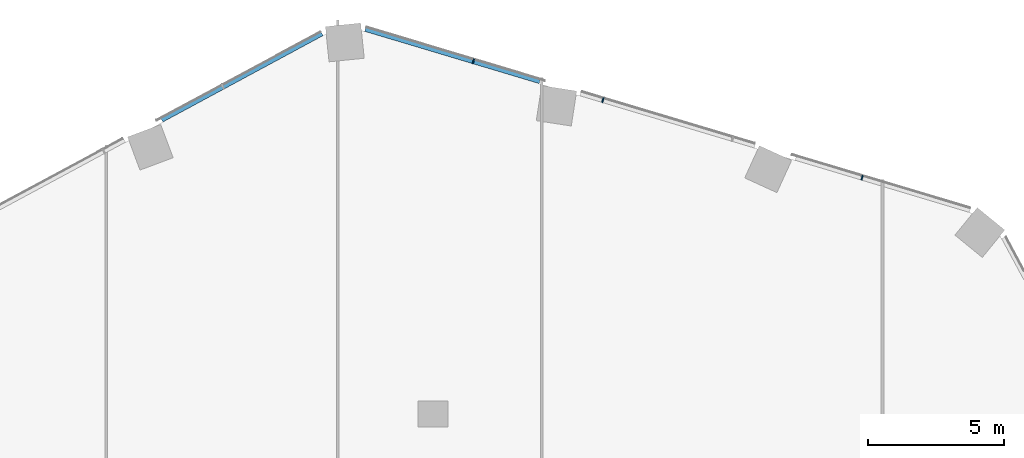
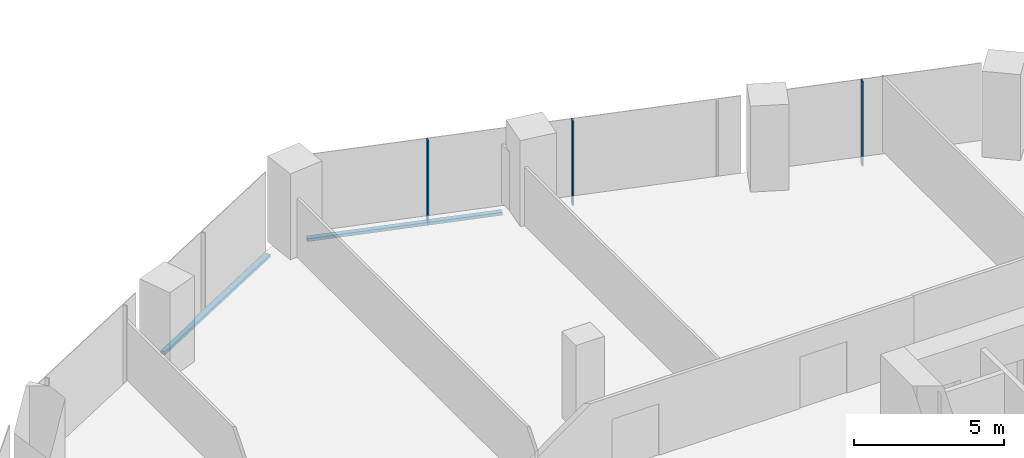
# One storey, part 12 of 34: 5 members, 2 elements without a shape of their own.
"""IFC4 building model written with IfcOpenShell, lengths in metres."""

from ifc_helpers import new_model, si_unit, direction, frame, origin, origin_2d, place, context, subcontext, project, spatial, rectangle, extrude, material, material_profile, profile_set, type_object, element, aggregate, save


model = new_model("IFC4")

# Units and contexts
model_context = context("Model", 3, precision=1e-05, world=origin(), true_north=direction((0.0, 1.0)))
body_context = subcontext(model_context, "Body", "Model", "MODEL_VIEW")
ifc_project = project(units=[si_unit("LENGTHUNIT", "METRE"), si_unit("AREAUNIT", "SQUARE_METRE"), si_unit("VOLUMEUNIT", "CUBIC_METRE"), si_unit("PLANEANGLEUNIT", "RADIAN"), si_unit("MASSUNIT", "GRAM", prefix="KILO")], contexts=[model_context])

# Site, building, storey
site_placement = place(None, origin())
site = spatial("IfcSite", under=ifc_project, at=site_placement, CompositionType="ELEMENT")
building_placement = place(site_placement, origin())
building = spatial("IfcBuilding", under=site, at=building_placement, Name="Orlundy Tower", CompositionType="ELEMENT")
storey_placement = place(building_placement, frame((0.0, 0.0, 134.199951171875)))
storey = spatial("IfcBuildingStorey", under=building, at=storey_placement, Name="L34", CompositionType="ELEMENT", Elevation=134.199951171875)

# Curtain wall, members
ifc_material_1 = material(Name="Aluminium bronze anodised", Category="aluminium")
curtain_wall_type = type_object("IfcCurtainWallType", Name="CW1 wall", PredefinedType="NOTDEFINED", material=ifc_material_1)
curtain_wall_1_placement = place(storey_placement, origin())
curtain_wall_1 = element("IfcCurtainWall", 1, at=curtain_wall_1_placement, inside=storey, type_object=curtain_wall_type, Name="CW1 run 04", PredefinedType="NOTDEFINED")
ifc_material_2 = material(Name="Aluminium bronze anodised", Category="aluminium")
ifc_material_profile_1 = material_profile(ifc_material_2, rectangle(XDim=0.179931640625, YDim=0.050048828125, at=origin_2d()), Name="CW1 mullion 50x180")
ifc_profile_set_1 = profile_set([ifc_material_profile_1], Name="Aluminium bronze anodised")
member_type_1 = type_object("IfcMemberType", Name="CW1 mullion 50x180", PredefinedType="MULLION", material=ifc_profile_set_1)
member_1_placement = place(storey_placement, frame((1.4873046875, 30.964599609375, -0.39990234375), z_axis=(0.0, 0.0, 1.0), x_axis=(0.286816257107, 0.957985612971, 0.0)))
member_1 = element("IfcMember", 2, at=member_1_placement, type_object=member_type_1, Name="CW1 mullion 20", PredefinedType="MULLION", context=body_context, shape_type="SweptSolid", body=[
    extrude(rectangle(XDim=0.179931640625, YDim=0.050048828125, at=origin_2d()), origin(), (0.0, 0.0, 1.0), 3.449951171875),
])
member_2_placement = place(storey_placement, frame((6.2490234375, 29.5390625, -0.39990234375), z_axis=(0.0, 0.0, 1.0), x_axis=(0.286816257107, 0.957985612971, 0.0)))
member_2 = element("IfcMember", 3, at=member_2_placement, type_object=member_type_1, Name="CW1 mullion 21", PredefinedType="MULLION", context=body_context, shape_type="SweptSolid", body=[
    extrude(rectangle(XDim=0.179931640625, YDim=0.050048828125, at=origin_2d()), origin(), (0.0, 0.0, 1.0), 3.449951171875),
])
member_3_placement = place(storey_placement, frame((15.772216796875, 26.687744140625, -0.39990234375), z_axis=(0.0, 0.0, 1.0), x_axis=(0.286816257107, 0.957985612971, 0.0)))
member_3 = element("IfcMember", 4, at=member_3_placement, type_object=member_type_1, Name="CW1 mullion 23", PredefinedType="MULLION", context=body_context, shape_type="SweptSolid", body=[
    extrude(rectangle(XDim=0.179931640625, YDim=0.050048828125, at=origin_2d()), origin(), (0.0, 0.0, 1.0), 3.449951171875),
])

# Curtain wall, member
curtain_wall_2_placement = place(storey_placement, origin())
curtain_wall_2 = element("IfcCurtainWall", 5, at=curtain_wall_2_placement, inside=storey, type_object=curtain_wall_type, Name="CW1 run 03", PredefinedType="NOTDEFINED")
ifc_material_3 = material(Name="Aluminium bronze anodised", Category="aluminium")
ifc_material_profile_2 = material_profile(ifc_material_3, rectangle(XDim=0.179931640625, YDim=0.1201171875, at=origin_2d()), Name="CW1 transom 180x120")
ifc_profile_set_2 = profile_set([ifc_material_profile_2], Name="Aluminium bronze anodised")
member_type_2 = type_object("IfcMemberType", Name="CW1 transom 180x120", PredefinedType="USERDEFINED", material=ifc_profile_set_2)
member_4_placement = place(storey_placement, frame((-9.9619140625, 28.81396484375, -0.33984375), z_axis=(0.880187434864, 0.474626252442, 0.0), x_axis=(-0.474626252442, 0.880187434864, 0.0)))
member_4 = element("IfcMember", 6, at=member_4_placement, type_object=member_type_2, Name="CW1 transom", ObjectType="TRANSOM", PredefinedType="USERDEFINED", context=body_context, shape_type="SweptSolid", body=[
    extrude(rectangle(XDim=0.179931640625, YDim=0.1201171875, at=origin_2d()), origin(), (0.0, 0.0, 1.0), 6.691650390625),
])
aggregate(curtain_wall_2, [member_4])

# Member
member_5_placement = place(storey_placement, frame((-2.48046875, 32.152587890625, -0.33984375), z_axis=(0.957982823238, -0.286825574838, 0.0), x_axis=(0.286825574838, 0.957982823238, 0.0)))
member_5 = element("IfcMember", 7, at=member_5_placement, type_object=member_type_2, Name="CW1 transom", ObjectType="TRANSOM", PredefinedType="USERDEFINED", context=body_context, shape_type="SweptSolid", body=[
    extrude(rectangle(XDim=0.179931640625, YDim=0.1201171875, at=origin_2d()), origin(), (0.0, 0.0, 1.0), 6.690185546875),
])

aggregate(curtain_wall_1, [member_1, member_2, member_3, member_5])

save(model, "model.ifc")
